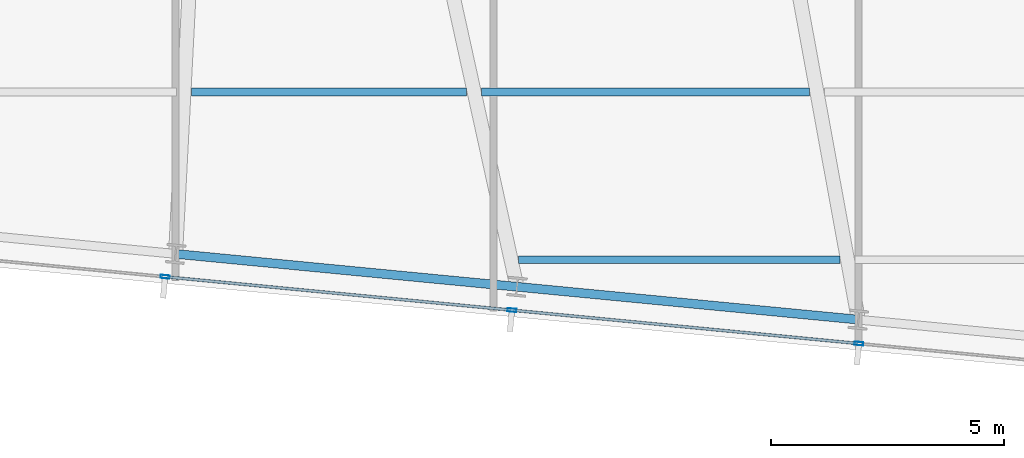
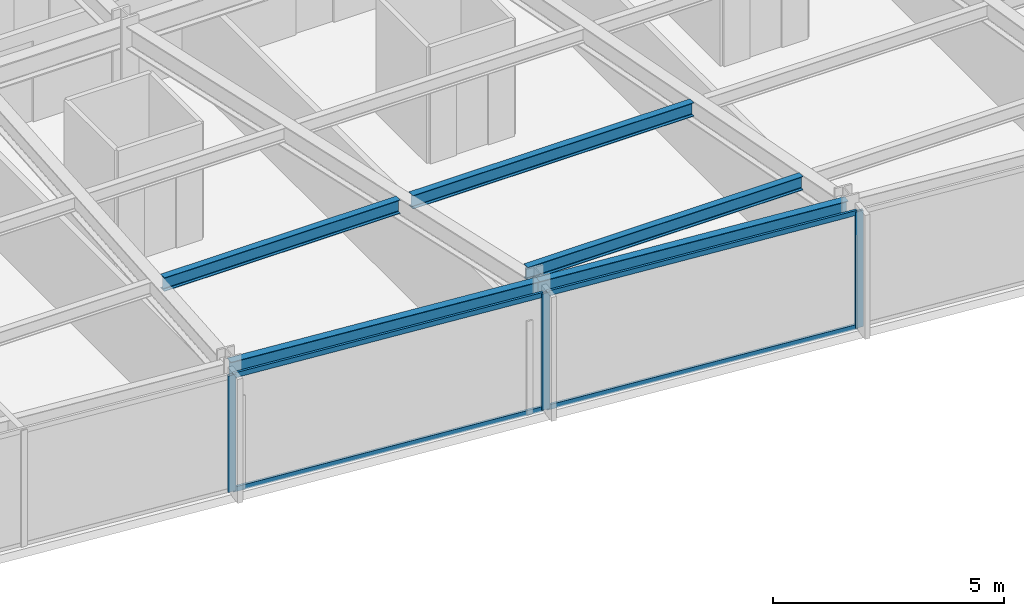
# One storey, part 6 of 37: 7 members, 5 beams, 1 element without a shape of its own.
"""IFC4 building model written with IfcOpenShell, lengths in metres."""

from ifc_helpers import new_model, si_unit, direction, frame, origin, origin_2d, place, context, subcontext, project, spatial, hollow_rectangle, i_section, extrude, material, material_profile, profile_set, type_object, element, aggregate, save


model = new_model("IFC4")

# Units and contexts
model_context = context("Model", 3, precision=1e-05, world=origin(), true_north=direction((0.0, 1.0)))
body_context = subcontext(model_context, "Body", "Model", "MODEL_VIEW")
ifc_project = project(units=[si_unit("LENGTHUNIT", "METRE"), si_unit("AREAUNIT", "SQUARE_METRE"), si_unit("VOLUMEUNIT", "CUBIC_METRE"), si_unit("PLANEANGLEUNIT", "RADIAN"), si_unit("MASSUNIT", "GRAM", prefix="KILO")], contexts=[model_context])

# Site, building, storey
site_placement = place(None, origin())
site = spatial("IfcSite", under=ifc_project, at=site_placement, CompositionType="ELEMENT")
building_placement = place(site_placement, origin())
building = spatial("IfcBuilding", under=site, at=building_placement, Name="Yelkora Congress Tower", CompositionType="ELEMENT")
storey_placement = place(building_placement, frame((0.0, 0.0, 175.39990234375)))
storey = spatial("IfcBuildingStorey", under=building, at=storey_placement, Name="L48", CompositionType="ELEMENT", Elevation=175.39990234375)

# Beams
ifc_material_1 = material(Name="Steel S355J2", Category="steel")
ifc_material_profile_1 = material_profile(ifc_material_1, i_section(OverallWidth=0.169921875, OverallDepth=0.360107421875, WebThickness=0.008056640625, FlangeThickness=0.0126953125, FilletRadius=0.01806640625, at=origin_2d()), Name="IPE 360")
ifc_profile_set_1 = profile_set([ifc_material_profile_1], Name="Steel S355J2")
beam_type_1 = type_object("IfcBeamType", Name="BM-JOIST-IPE360", PredefinedType="JOIST", material=ifc_profile_set_1)
beam_1_placement = place(storey_placement, frame((25.921630859375, 12.8212890625, 2.900146484375), z_axis=(1.0, 0.0, 0.0), x_axis=(0.0, 1.0, 0.0)))
element("IfcBeam", 1, at=beam_1_placement, inside=storey, type_object=beam_type_1, Name="L48 Composite Floor Joist 1", PredefinedType="JOIST", context=body_context, shape_type="SweptSolid", body=[
    extrude(i_section(OverallWidth=0.169921875, OverallDepth=0.360107421875, WebThickness=0.008056640625, FlangeThickness=0.0126953125, FilletRadius=0.01806640625, at=origin_2d()), origin(), (0.0, 0.0, 1.0), 6.896484375),
])
beam_2_placement = place(storey_placement, frame((18.905517578125, 16.421142578125, 2.900146484375), z_axis=(1.0, 0.0, 0.0), x_axis=(0.0, 1.0, 0.0)))
element("IfcBeam", 2, at=beam_2_placement, inside=storey, type_object=beam_type_1, Name="L48 Composite Floor Joist 7", PredefinedType="JOIST", context=body_context, shape_type="SweptSolid", body=[
    extrude(i_section(OverallWidth=0.169921875, OverallDepth=0.360107421875, WebThickness=0.008056640625, FlangeThickness=0.0126953125, FilletRadius=0.01806640625, at=origin_2d()), origin(), (0.0, 0.0, 1.0), 5.904541015625),
])
beam_3_placement = place(storey_placement, frame((25.130126953125, 16.421142578125, 2.900146484375), z_axis=(1.0, 0.0, 0.0), x_axis=(0.0, 1.0, 0.0)))
element("IfcBeam", 3, at=beam_3_placement, inside=storey, type_object=beam_type_1, Name="L48 Composite Floor Joist 8", PredefinedType="JOIST", context=body_context, shape_type="SweptSolid", body=[
    extrude(i_section(OverallWidth=0.169921875, OverallDepth=0.360107421875, WebThickness=0.008056640625, FlangeThickness=0.0126953125, FilletRadius=0.01806640625, at=origin_2d()), origin(), (0.0, 0.0, 1.0), 7.03125),
])
ifc_material_profile_2 = material_profile(ifc_material_1, i_section(OverallWidth=0.18994140625, OverallDepth=0.449951171875, WebThickness=0.009521484375, FlangeThickness=0.0146484375, FilletRadius=0.02099609375, at=origin_2d()), Name="IPE 450")
ifc_profile_set_2 = profile_set([ifc_material_profile_2], Name="Steel S355J2")
beam_type_2 = type_object("IfcBeamType", Name="BM-SPAN-IPE450", PredefinedType="SPANDREL", material=ifc_profile_set_2)
beam_4_placement = place(storey_placement, frame((18.56591796875, 12.947021484375, 2.85498046875), z_axis=(0.99539363353, -0.09587238564, 0.0), x_axis=(0.09587238564, 0.99539363353, 0.0)))
element("IfcBeam", 4, at=beam_4_placement, inside=storey, type_object=beam_type_2, Name="L48 Perimeter Beam 4", PredefinedType="SPANDREL", context=body_context, shape_type="SweptSolid", body=[
    extrude(i_section(OverallWidth=0.18994140625, OverallDepth=0.449951171875, WebThickness=0.009521484375, FlangeThickness=0.0146484375, FilletRadius=0.02099609375, at=origin_2d()), origin(), (0.0, 0.0, 1.0), 7.35693359375),
])
beam_5_placement = place(storey_placement, frame((25.888916015625, 12.24169921875, 2.85498046875), z_axis=(0.995397409467, -0.095833173935, 0.0), x_axis=(0.095833173935, 0.995397409467, 0.0)))
element("IfcBeam", 5, at=beam_5_placement, inside=storey, type_object=beam_type_2, Name="L48 Perimeter Beam 5", PredefinedType="SPANDREL", context=body_context, shape_type="SweptSolid", body=[
    extrude(i_section(OverallWidth=0.18994140625, OverallDepth=0.449951171875, WebThickness=0.009521484375, FlangeThickness=0.0146484375, FilletRadius=0.02099609375, at=origin_2d()), origin(), (0.0, 0.0, 1.0), 7.357421875),
])

# Curtain wall, members
ifc_material_2 = material(Name="Anodised aluminium and insulated glass", Category="aluminium")
curtain_wall_type = type_object("IfcCurtainWallType", Name="CW-SYS-B3", PredefinedType="NOTDEFINED", material=ifc_material_2)
curtain_wall_placement = place(storey_placement, origin())
curtain_wall = element("IfcCurtainWall", 6, at=curtain_wall_placement, inside=storey, type_object=curtain_wall_type, Name="L48 Unitised Curtain Wall 20", PredefinedType="NOTDEFINED")
ifc_material_3 = material(Name="Anodised aluminium 6063-T6", Category="aluminium")
ifc_material_profile_3 = material_profile(ifc_material_3, hollow_rectangle(XDim=0.070068359375, YDim=0.18994140625, WallThickness=0.00390625, at=origin_2d()), Name="ALU 70x190x4")
ifc_profile_set_3 = profile_set([ifc_material_profile_3], Name="Anodised aluminium 6063-T6")
member_type_1 = type_object("IfcMemberType", Name="MEM-ML-B3", PredefinedType="MULLION", material=ifc_profile_set_3)
member_1_placement = place(storey_placement, frame((33.2216796875, 11.0234375, 0.0), z_axis=(0.0, 0.0, 1.0), x_axis=(-0.095844680679, -0.995396301573, 0.0)))
member_1 = element("IfcMember", 7, at=member_1_placement, type_object=member_type_1, Name="CW-B3 mullion 4", PredefinedType="MULLION", context=body_context, shape_type="SweptSolid", body=[
    extrude(hollow_rectangle(XDim=0.070068359375, YDim=0.18994140625, WallThickness=0.00390625, at=origin_2d()), origin(), (0.0, 0.0, 1.0), 3.080078125),
])
member_2_placement = place(storey_placement, frame((25.78173828125, 11.73974609375, 0.0), z_axis=(0.0, 0.0, 1.0), x_axis=(-0.095844680679, -0.995396301573, 0.0)))
member_2 = element("IfcMember", 8, at=member_2_placement, type_object=member_type_1, Name="CW-B3 mullion 5", PredefinedType="MULLION", context=body_context, shape_type="SweptSolid", body=[
    extrude(hollow_rectangle(XDim=0.070068359375, YDim=0.18994140625, WallThickness=0.00390625, at=origin_2d()), origin(), (0.0, 0.0, 1.0), 3.080078125),
])
member_3_placement = place(storey_placement, frame((18.342041015625, 12.4560546875, 0.0), z_axis=(0.0, 0.0, 1.0), x_axis=(-0.095844680679, -0.995396301573, 0.0)))
member_3 = element("IfcMember", 9, at=member_3_placement, type_object=member_type_1, Name="CW-B3 mullion 6", PredefinedType="MULLION", context=body_context, shape_type="SweptSolid", body=[
    extrude(hollow_rectangle(XDim=0.070068359375, YDim=0.18994140625, WallThickness=0.00390625, at=origin_2d()), origin(), (0.0, 0.0, 1.0), 3.080078125),
])
ifc_material_profile_4 = material_profile(ifc_material_3, hollow_rectangle(XDim=0.06005859375, YDim=0.1298828125, WallThickness=0.00390625, at=origin_2d()), Name="ALU 60x130x4")
ifc_profile_set_4 = profile_set([ifc_material_profile_4], Name="Anodised aluminium 6063-T6")
member_type_2 = type_object("IfcMemberType", Name="MEM-TR-B3", PredefinedType="USERDEFINED", material=ifc_profile_set_4)
member_4_placement = place(storey_placement, frame((33.18701171875, 11.02685546875, 0.030029296875), z_axis=(-0.995398934959, 0.095817327669, 0.0), x_axis=(-0.095817327669, -0.995398934959, 0.0)))
member_4 = element("IfcMember", 10, at=member_4_placement, type_object=member_type_2, Name="CW-B3 transom 4.1", ObjectType="TRANSOM", PredefinedType="USERDEFINED", context=body_context, shape_type="SweptSolid", body=[
    extrude(hollow_rectangle(XDim=0.06005859375, YDim=0.1298828125, WallThickness=0.00390625, at=origin_2d()), origin(), (0.0, 0.0, 1.0), 7.404541015625),
])
member_5_placement = place(storey_placement, frame((33.18701171875, 11.02685546875, 3.050048828125), z_axis=(-0.995398934959, 0.095817327669, 0.0), x_axis=(-0.095817327669, -0.995398934959, 0.0)))
member_5 = element("IfcMember", 11, at=member_5_placement, type_object=member_type_2, Name="CW-B3 transom 4.2", ObjectType="TRANSOM", PredefinedType="USERDEFINED", context=body_context, shape_type="SweptSolid", body=[
    extrude(hollow_rectangle(XDim=0.06005859375, YDim=0.1298828125, WallThickness=0.00390625, at=origin_2d()), origin(), (0.0, 0.0, 1.0), 7.404541015625),
])
member_6_placement = place(storey_placement, frame((25.7470703125, 11.7431640625, 0.030029296875), z_axis=(-0.995395789658, 0.095849997036, 0.0), x_axis=(-0.095849997036, -0.995395789658, 0.0)))
member_6 = element("IfcMember", 12, at=member_6_placement, type_object=member_type_2, Name="CW-B3 transom 5.1", ObjectType="TRANSOM", PredefinedType="USERDEFINED", context=body_context, shape_type="SweptSolid", body=[
    extrude(hollow_rectangle(XDim=0.06005859375, YDim=0.1298828125, WallThickness=0.00390625, at=origin_2d()), origin(), (0.0, 0.0, 1.0), 7.404541015625),
])
member_7_placement = place(storey_placement, frame((25.7470703125, 11.7431640625, 3.050048828125), z_axis=(-0.995395789658, 0.095849997036, 0.0), x_axis=(-0.095849997036, -0.995395789658, 0.0)))
member_7 = element("IfcMember", 13, at=member_7_placement, type_object=member_type_2, Name="CW-B3 transom 5.2", ObjectType="TRANSOM", PredefinedType="USERDEFINED", context=body_context, shape_type="SweptSolid", body=[
    extrude(hollow_rectangle(XDim=0.06005859375, YDim=0.1298828125, WallThickness=0.00390625, at=origin_2d()), origin(), (0.0, 0.0, 1.0), 7.404541015625),
])
aggregate(curtain_wall, [member_1, member_2, member_3, member_4, member_5, member_6, member_7])

save(model, "model.ifc")
